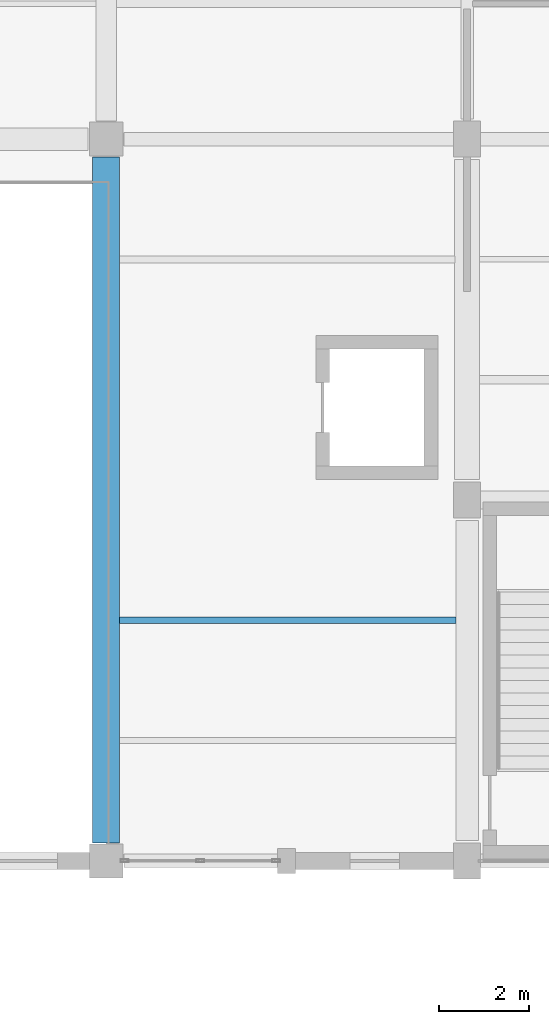
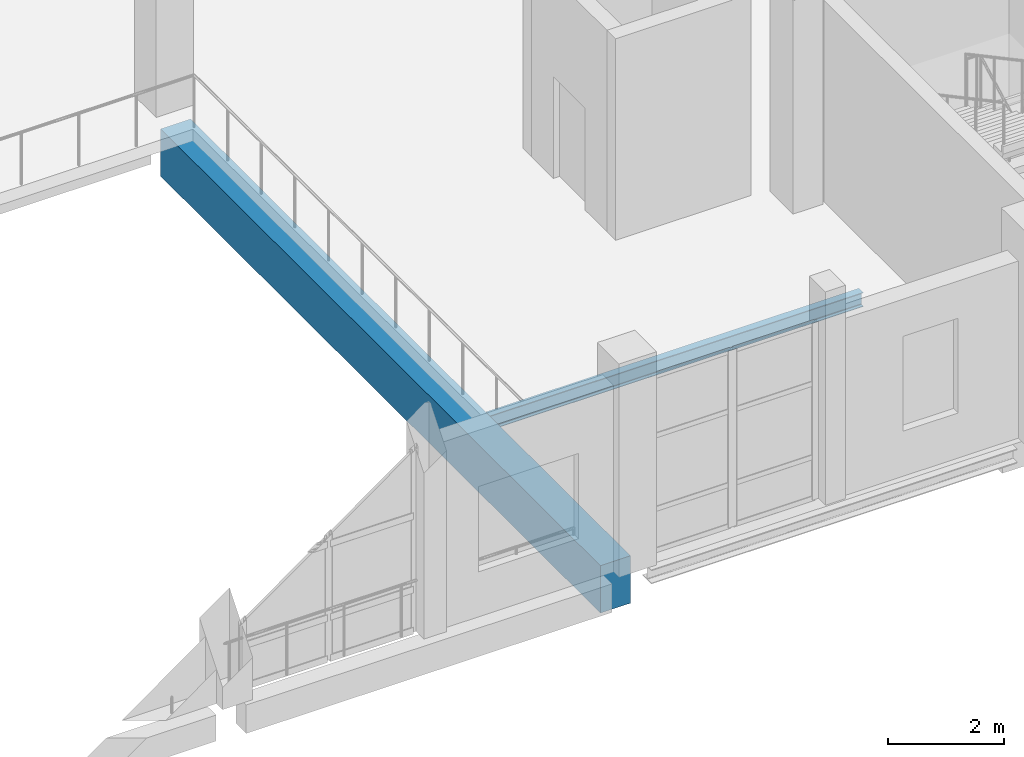
# One storey, part 109 of 183: 2 beams.
"""IFC4 building model written with IfcOpenShell, lengths in metres."""

import ifcopenshell
import ifcopenshell.guid

model = None  # the IFC model being written
_history = None  # IfcOwnerHistory: only IFC2X3 demands one
_inside = {}  # id of a spatial element -> (the spatial element, [elements in it])
_under = {}  # id of a project, library or spatial element -> (it, [spatial elements below it])
_declared = {}  # id of a project -> (the project, [libraries it declares])
_typed = {}  # id of a type object -> (the type object, [elements of that type])
_made_of = {}  # id of a material, layer set ... -> (it, [elements and type objects made of it])


def new_model(schema):
    """Start an empty IFC model of exactly this schema.

    Asked for "IFC4X3", IfcOpenShell would pick the latest addendum, in which some entities
    have other attributes; the version numbers below select the first issue.
    IFC2X3 requires an IfcOwnerHistory on every rooted entity: one is made here for all.
    """
    global model, _history
    if schema == "IFC4X3":
        model = ifcopenshell.file(schema_version=(4, 3, 0, 0))
    else:
        model = ifcopenshell.file(schema=schema)
    _inside.clear()
    _under.clear()
    _declared.clear()
    _typed.clear()
    _made_of.clear()
    _history = None
    if model.schema == "IFC2X3":
        org = make("IfcOrganization", Name="unknown")
        user = make(
            "IfcPersonAndOrganization",
            ThePerson=make("IfcPerson", FamilyName="unknown"),
            TheOrganization=org,
        )
        app = make(
            "IfcApplication",
            ApplicationDeveloper=org,
            Version="unknown",
            ApplicationFullName="unknown",
            ApplicationIdentifier="unknown",
        )
        _history = make(
            "IfcOwnerHistory",
            OwningUser=user,
            OwningApplication=app,
            ChangeAction="ADDED",
            CreationDate=0,
        )
    return model


def make(cls, **values):
    """One entity of the class cls with the attributes given. An attribute that is None is left unset."""
    return model.create_entity(
        cls, **{name: value for name, value in values.items() if value is not None}
    )


def rooted(cls, **values):
    """An entity with a GlobalId (a new one), such as an element, a storey or a relation."""
    return make(cls, GlobalId=ifcopenshell.guid.new(), OwnerHistory=_history, **values)


def si_unit(unit_type, name, prefix=None):
    """IfcSIUnit, for example si_unit("LENGTHUNIT", "METRE", prefix="MILLI")."""
    return make("IfcSIUnit", UnitType=unit_type, Prefix=prefix, Name=name)


def assignment(units):
    """IfcUnitAssignment: the units of a project."""
    return None if units is None else make("IfcUnitAssignment", Units=units)


def point(xyz):
    """IfcCartesianPoint."""
    return None if xyz is None else make("IfcCartesianPoint", Coordinates=xyz)


def direction(xyz):
    """IfcDirection."""
    return None if xyz is None else make("IfcDirection", DirectionRatios=xyz)


def frame(location, z_axis=None, x_axis=None):
    """IfcAxis2Placement3D, a coordinate frame: its origin and axes. An axis left out is left unset."""
    return make(
        "IfcAxis2Placement3D",
        Location=point(location),
        Axis=direction(z_axis),
        RefDirection=direction(x_axis),
    )


def frame_2d(location, x_axis=None):
    """IfcAxis2Placement2D, a coordinate frame in the plane: its origin and x axis."""
    return make(
        "IfcAxis2Placement2D", Location=point(location), RefDirection=direction(x_axis)
    )


def origin():
    """The frame at (0, 0, 0) with its axes left unset."""
    return frame((0.0, 0.0, 0.0))


def origin_2d():
    """The frame at (0, 0) in the plane with its x axis left unset."""
    return frame_2d((0.0, 0.0))


def place(relative_to, where):
    """IfcLocalPlacement: puts the frame where relative to a parent placement (None: the world)."""
    return make(
        "IfcLocalPlacement", PlacementRelTo=relative_to, RelativePlacement=where
    )


def context(
    kind, dimensions, precision=None, world=None, true_north=None, identifier=None
):
    """IfcGeometricRepresentationContext, for example the 3D "Model" context."""
    return make(
        "IfcGeometricRepresentationContext",
        ContextIdentifier=identifier,
        ContextType=kind,
        CoordinateSpaceDimension=dimensions,
        Precision=precision,
        WorldCoordinateSystem=world,
        TrueNorth=true_north,
    )


def subcontext(parent, identifier, kind, view, scale=None):
    """IfcGeometricRepresentationSubContext, for example "Body" below "Model"."""
    return make(
        "IfcGeometricRepresentationSubContext",
        ContextIdentifier=identifier,
        ContextType=kind,
        ParentContext=parent,
        TargetScale=scale,
        TargetView=view,
    )


def project(units=None, contexts=None):
    """IfcProject with its units and contexts."""
    return rooted(
        "IfcProject",
        Name="project",
        RepresentationContexts=contexts,
        UnitsInContext=assignment(units),
    )


def spatial(cls, under=None, at=None, **own):
    """A site, building, storey or space (cls), placed at a placement, below another one or the project."""
    s = rooted(cls, ObjectPlacement=at, **own)
    if under is not None:
        _under.setdefault(under.id(), (under, []))[1].append(s)
    return s


def profile(cls, at=None, kind="AREA", **sizes):
    """A parametric profile (cls). Its sizes go by their IFC names, for example OverallWidth=200.0."""
    return make(cls, ProfileType=kind, Position=at, **sizes)


def rectangle(**sizes):
    """IfcRectangleProfileDef."""
    return profile("IfcRectangleProfileDef", **sizes)


def i_section(**sizes):
    """IfcIShapeProfileDef."""
    return profile("IfcIShapeProfileDef", **sizes)


def extrude(swept, where, along, depth):
    """IfcExtrudedAreaSolid: the profile swept, set in the frame where, extruded along a direction by depth."""
    return make(
        "IfcExtrudedAreaSolid",
        SweptArea=swept,
        Position=where,
        ExtrudedDirection=direction(along),
        Depth=depth,
    )


def shape(context_of_items, identifier, shape_type, items):
    """IfcShapeRepresentation: the items that make up one representation, for example the "Body"."""
    return make(
        "IfcShapeRepresentation",
        ContextOfItems=context_of_items,
        RepresentationIdentifier=identifier,
        RepresentationType=shape_type,
        Items=items,
    )


def material(Name=None, Category=None):
    """IfcMaterial."""
    return make("IfcMaterial", Name=Name, Category=Category)


def material_profile(
    of_material, cross_section, Name=None, Category=None, Priority=None
):
    """IfcMaterialProfile: a cross section and its material."""
    return make(
        "IfcMaterialProfile",
        Name=Name,
        Material=of_material,
        Profile=cross_section,
        Priority=Priority,
        Category=Category,
    )


def profile_set(profiles, Name=None, composite=None):
    """IfcMaterialProfileSet."""
    return make(
        "IfcMaterialProfileSet",
        Name=Name,
        MaterialProfiles=profiles,
        CompositeProfile=composite,
    )


def made_of(thing, what):
    """Note that an element or type object is made of a material, layer set ...; save() writes the relation."""
    if what is not None:
        _made_of.setdefault(what.id(), (what, []))[1].append(thing)
    return thing


def type_object(cls, material=None, **own):
    """A type object (cls), such as IfcWallType, which elements share."""
    return made_of(rooted(cls, **own), material)


def element(
    cls,
    number,
    at=None,
    inside=None,
    cuts=None,
    type_object=None,
    material=None,
    context=None,
    identifier="Body",
    shape_type=None,
    held_by="IfcProductDefinitionShape",
    body=None,
    shapes=None,
    **own,
):
    """One element of the class cls, such as IfcWall. Its Tag is "e" and its number.

    at: its placement. inside: the storey or other place that contains it. cuts: it is an
    opening in that element (IfcRelVoidsElement). A single representation is given by context,
    identifier, shape_type and body (its items); several are given by shapes. held_by: the class
    of the entity that holds the representations. save() writes the other relations.
    """
    e = rooted(cls, Tag="e%d" % number, ObjectPlacement=at, **own)
    if body is not None:
        shapes = [shape(context, identifier, shape_type, body)]
    if shapes is not None:
        e.Representation = make(held_by, Representations=shapes)
    if inside is not None:
        _inside.setdefault(inside.id(), (inside, []))[1].append(e)
    if cuts is not None:
        rooted(
            "IfcRelVoidsElement", RelatingBuildingElement=cuts, RelatedOpeningElement=e
        )
    if type_object is not None:
        _typed.setdefault(type_object.id(), (type_object, []))[1].append(e)
    return made_of(e, material)


def aggregate(whole, parts):
    """IfcRelAggregates: a whole, such as a stair, and the parts it consists of."""
    return rooted("IfcRelAggregates", RelatingObject=whole, RelatedObjects=parts)


def save(model, path):
    """Write the relations noted so far, then the file.

    IfcRelAggregates (storeys below a building ...), IfcRelContainedInSpatialStructure (elements
    in a storey), IfcRelDefinesByType, IfcRelAssociatesMaterial and IfcRelDeclares: one each for
    every whole, place, type object, material and project.
    """
    for whole, parts in _under.values():
        aggregate(whole, parts)
    for where, things in _inside.values():
        rooted(
            "IfcRelContainedInSpatialStructure",
            RelatedElements=things,
            RelatingStructure=where,
        )
    for kind, things in _typed.values():
        rooted("IfcRelDefinesByType", RelatedObjects=things, RelatingType=kind)
    for what, things in _made_of.values():
        rooted("IfcRelAssociatesMaterial", RelatedObjects=things, RelatingMaterial=what)
    for by, libraries in _declared.values():
        rooted("IfcRelDeclares", RelatingContext=by, RelatedDefinitions=libraries)
    model.write(path)


model = new_model("IFC4")

# Units and contexts
model_context = context("Model", 3, precision=1e-05, world=origin(), true_north=direction((0.0, 1.0)))
body_context = subcontext(model_context, "Body", "Model", "MODEL_VIEW")
ifc_project = project(units=[si_unit("LENGTHUNIT", "METRE"), si_unit("AREAUNIT", "SQUARE_METRE"), si_unit("VOLUMEUNIT", "CUBIC_METRE"), si_unit("PLANEANGLEUNIT", "RADIAN"), si_unit("MASSUNIT", "GRAM", prefix="KILO")], contexts=[model_context])

# Site, building, storey
site_placement = place(None, origin())
site = spatial("IfcSite", under=ifc_project, at=site_placement, CompositionType="ELEMENT")
building_placement = place(site_placement, origin())
building = spatial("IfcBuilding", under=site, at=building_placement, Name="Luwemba Playhouse", CompositionType="ELEMENT")
storey_placement = place(building_placement, frame((0.0, 0.0, 4.800048828125)))
storey = spatial("IfcBuildingStorey", under=building, at=storey_placement, Name="L01", CompositionType="ELEMENT", Elevation=4.800048828125)

# Beams
ifc_material_1 = material(Name="Concrete C40/50", Category="concrete")
ifc_material_profile_1 = material_profile(ifc_material_1, rectangle(XDim=0.60009765625, YDim=1.0, at=origin_2d()))
ifc_profile_set_1 = profile_set([ifc_material_profile_1], Name="Concrete C40/50")
beam_type_1 = type_object("IfcBeamType", Name="BM-RB09", PredefinedType="BEAM", material=ifc_profile_set_1)
beam_1_placement = place(storey_placement, frame((156.0, 68.39990234375, -0.75), z_axis=(0.0, 1.0, 0.0), x_axis=(-1.0, 0.0, 0.0)))
element("IfcBeam", 1, at=beam_1_placement, inside=storey, type_object=beam_type_1, Name="L01 transverse girder 0460", PredefinedType="BEAM", context=body_context, shape_type="SweptSolid", body=[
    extrude(rectangle(XDim=0.60009765625, YDim=1.0, at=origin_2d()), origin(), (0.0, 0.0, 1.0), 15.2001953125),
])
ifc_material_2 = material(Name="Steel S355", Category="steel")
ifc_material_profile_2 = material_profile(ifc_material_2, i_section(OverallWidth=0.14990234375, OverallDepth=0.300048828125, WebThickness=0.007080078125, FlangeThickness=0.0107421875, FilletRadius=0.014892578125, at=origin_2d()))
ifc_profile_set_2 = profile_set([ifc_material_profile_2], Name="Steel S355")
beam_type_2 = type_object("IfcBeamType", Name="BM-SJ05", PredefinedType="JOIST", material=ifc_profile_set_2)
beam_2_placement = place(storey_placement, frame((156.2958984375, 73.333251953125, -0.400146484375), z_axis=(1.0, 0.0, 0.0), x_axis=(0.0, 1.0, 0.0)))
element("IfcBeam", 2, at=beam_2_placement, inside=storey, type_object=beam_type_2, Name="L01 composite floor joist 0270", PredefinedType="JOIST", context=body_context, shape_type="SweptSolid", body=[
    extrude(i_section(OverallWidth=0.14990234375, OverallDepth=0.300048828125, WebThickness=0.007080078125, FlangeThickness=0.0107421875, FilletRadius=0.014892578125, at=origin_2d()), origin(), (0.0, 0.0, 1.0), 7.4580078125),
])

save(model, "model.ifc")
